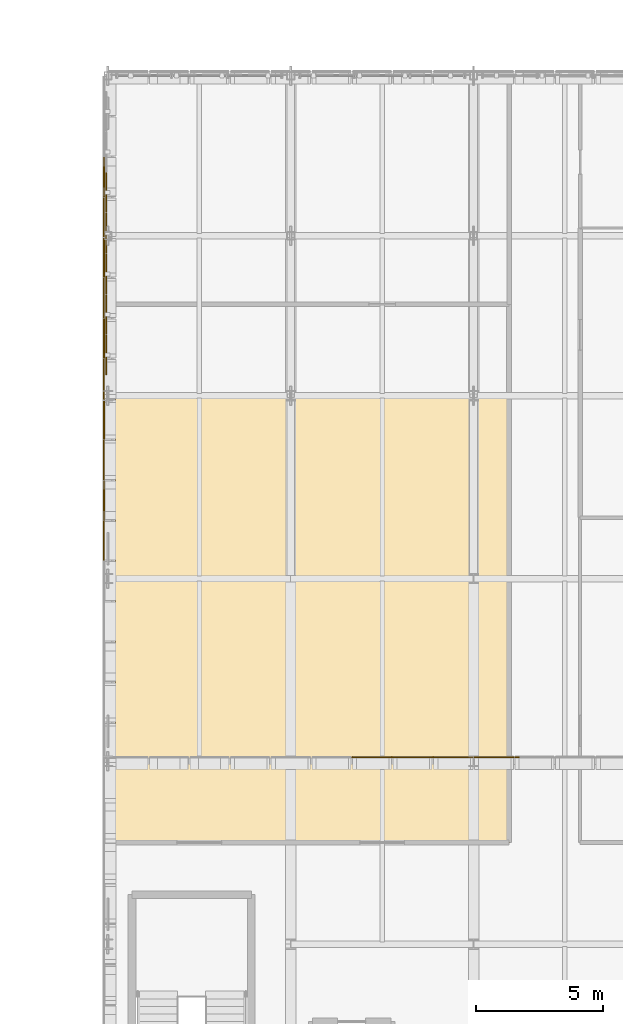
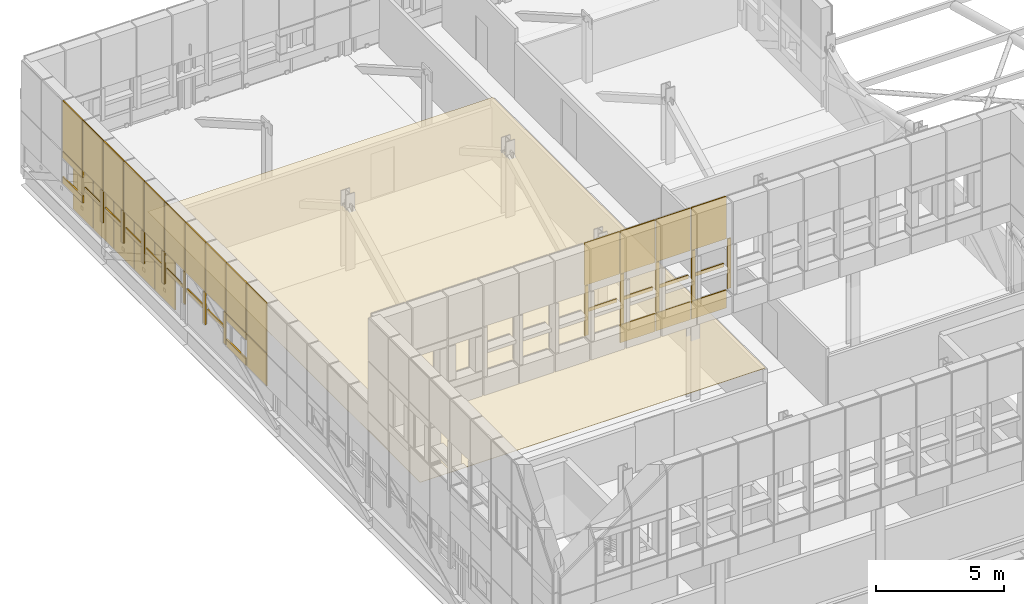
# One storey, part 84 of 96: 46 coverings, 5 shading devices.
"""IFC4 building model written with IfcOpenShell, lengths in metres."""

from ifc_helpers import new_model, si_unit, direction, frame, origin, origin_2d, place, context, subcontext, project, spatial, polyline, rectangle, outline, extrude, material, layer, layer_set, type_object, element, save


model = new_model("IFC4")

# Units and contexts
model_context = context("Model", 3, precision=1e-05, world=origin(), true_north=direction((0.0, 1.0)))
body_context = subcontext(model_context, "Body", "Model", "MODEL_VIEW")
ifc_project = project(units=[si_unit("LENGTHUNIT", "METRE"), si_unit("AREAUNIT", "SQUARE_METRE"), si_unit("VOLUMEUNIT", "CUBIC_METRE"), si_unit("PLANEANGLEUNIT", "RADIAN"), si_unit("MASSUNIT", "GRAM", prefix="KILO")], contexts=[model_context])

# Site, building, storey
site_placement = place(None, origin())
site = spatial("IfcSite", under=ifc_project, at=site_placement, CompositionType="ELEMENT")
building_placement = place(site_placement, origin())
building = spatial("IfcBuilding", under=site, at=building_placement, Name="Yarey Park Central Fire Station", CompositionType="ELEMENT")
storey_placement = place(building_placement, frame((0.0, 0.0, 14.39990234375)))
storey = spatial("IfcBuildingStorey", under=building, at=storey_placement, Name="L04", CompositionType="ELEMENT", Elevation=14.39990234375)

# Coverings
ifc_material_1 = material(Name="Perforated Powder-Coated Aluminium Cladding", Category="aluminium")
ifc_layer_1 = layer(ifc_material_1, 0.0419921875)
ifc_layer_set_1 = layer_set([ifc_layer_1], Name="Perforated Powder-Coated Aluminium Cladding")
covering_type_1 = type_object("IfcCoveringType", Name="ENV_COV_PERF_1", PredefinedType="CLADDING", material=ifc_layer_set_1)
covering_1_placement = place(storey_placement, frame((28.639892578125, 80.6884765625, 0.864990234375), z_axis=(0.0, 0.0, 1.0), x_axis=(0.0, 1.0, 0.0)))
element("IfcCovering", 1, at=covering_1_placement, inside=storey, type_object=covering_type_1, Name="PERF_L04_0700", PredefinedType="CLADDING", context=body_context, shape_type="SweptSolid", body=[
    extrude(rectangle(XDim=1.55224609375, YDim=0.0419921875, at=origin_2d()), origin(), (0.0, 0.0, 1.0), 1.5400390625),
])
covering_2_placement = place(storey_placement, frame((28.639892578125, 80.6884765625, 2.43505859375), z_axis=(0.0, 0.0, 1.0), x_axis=(0.0, 1.0, 0.0)))
element("IfcCovering", 2, at=covering_2_placement, inside=storey, type_object=covering_type_1, Name="PERF_L04_0701", PredefinedType="CLADDING", context=body_context, shape_type="SweptSolid", body=[
    extrude(rectangle(XDim=1.55224609375, YDim=0.0419921875, at=origin_2d()), origin(), (0.0, 0.0, 1.0), 2.3701171875),
])
covering_3_placement = place(storey_placement, frame((28.639892578125, 83.18701171875, 0.864990234375), z_axis=(0.0, 0.0, 1.0), x_axis=(0.0, 1.0, 0.0)))
element("IfcCovering", 3, at=covering_3_placement, inside=storey, type_object=covering_type_1, Name="PERF_L04_0717", PredefinedType="CLADDING", context=body_context, shape_type="SweptSolid", body=[
    extrude(rectangle(XDim=0.159912109375, YDim=0.0419921875, at=origin_2d()), origin(), (0.0, 0.0, 1.0), 1.5400390625),
])
covering_4_placement = place(storey_placement, frame((28.639892578125, 83.873046875, 1.55517578125), z_axis=(0.0, 0.0, 1.0), x_axis=(0.0, 1.0, 0.0)))
element("IfcCovering", 4, at=covering_4_placement, inside=storey, type_object=covering_type_1, Name="PERF_L04_0718", PredefinedType="CLADDING", context=body_context, shape_type="SweptSolid", body=[
    extrude(rectangle(XDim=1.352294921875, YDim=0.0419921875, at=origin_2d()), origin(), (0.0, 0.0, 1.0), 0.159912109375),
])
covering_5_placement = place(storey_placement, frame((28.639892578125, 83.873046875, 2.43505859375), z_axis=(0.0, 0.0, 1.0), x_axis=(0.0, 1.0, 0.0)))
element("IfcCovering", 5, at=covering_5_placement, inside=storey, type_object=covering_type_1, Name="PERF_L04_0719", PredefinedType="CLADDING", context=body_context, shape_type="SweptSolid", body=[
    extrude(rectangle(XDim=1.55224609375, YDim=0.0419921875, at=origin_2d()), origin(), (0.0, 0.0, 1.0), 2.3701171875),
])
covering_6_placement = place(storey_placement, frame((28.639892578125, 86.37158203125, 0.864990234375), z_axis=(0.0, 0.0, 1.0), x_axis=(0.0, 1.0, 0.0)))
element("IfcCovering", 6, at=covering_6_placement, inside=storey, type_object=covering_type_1, Name="PERF_L04_0731", PredefinedType="CLADDING", context=body_context, shape_type="SweptSolid", body=[
    extrude(rectangle(XDim=0.159912109375, YDim=0.0419921875, at=origin_2d()), origin(), (0.0, 0.0, 1.0), 1.5400390625),
])
covering_7_placement = place(storey_placement, frame((28.639892578125, 87.0576171875, 1.55517578125), z_axis=(0.0, 0.0, 1.0), x_axis=(0.0, 1.0, 0.0)))
element("IfcCovering", 7, at=covering_7_placement, inside=storey, type_object=covering_type_1, Name="PERF_L04_0732", PredefinedType="CLADDING", context=body_context, shape_type="SweptSolid", body=[
    extrude(rectangle(XDim=1.352294921875, YDim=0.0419921875, at=origin_2d()), origin(), (0.0, 0.0, 1.0), 0.159912109375),
])
covering_8_placement = place(storey_placement, frame((28.639892578125, 87.0576171875, 2.43505859375), z_axis=(0.0, 0.0, 1.0), x_axis=(0.0, 1.0, 0.0)))
element("IfcCovering", 8, at=covering_8_placement, inside=storey, type_object=covering_type_1, Name="PERF_L04_0733", PredefinedType="CLADDING", context=body_context, shape_type="SweptSolid", body=[
    extrude(rectangle(XDim=1.55224609375, YDim=0.0419921875, at=origin_2d()), origin(), (0.0, 0.0, 1.0), 2.3701171875),
])
covering_9_placement = place(storey_placement, frame((28.639892578125, 89.55615234375, 0.864990234375), z_axis=(0.0, 0.0, 1.0), x_axis=(0.0, 1.0, 0.0)))
element("IfcCovering", 9, at=covering_9_placement, inside=storey, type_object=covering_type_1, Name="PERF_L04_0745", PredefinedType="CLADDING", context=body_context, shape_type="SweptSolid", body=[
    extrude(rectangle(XDim=0.159912109375, YDim=0.0419921875, at=origin_2d()), origin(), (0.0, 0.0, 1.0), 1.5400390625),
])
covering_10_placement = place(storey_placement, frame((28.639892578125, 90.2421875, 1.55517578125), z_axis=(0.0, 0.0, 1.0), x_axis=(0.0, 1.0, 0.0)))
element("IfcCovering", 10, at=covering_10_placement, inside=storey, type_object=covering_type_1, Name="PERF_L04_0746", PredefinedType="CLADDING", context=body_context, shape_type="SweptSolid", body=[
    extrude(rectangle(XDim=1.352294921875, YDim=0.0419921875, at=origin_2d()), origin(), (0.0, 0.0, 1.0), 0.159912109375),
])
covering_11_placement = place(storey_placement, frame((28.639892578125, 90.2421875, 2.43505859375), z_axis=(0.0, 0.0, 1.0), x_axis=(0.0, 1.0, 0.0)))
element("IfcCovering", 11, at=covering_11_placement, inside=storey, type_object=covering_type_1, Name="PERF_L04_0747", PredefinedType="CLADDING", context=body_context, shape_type="SweptSolid", body=[
    extrude(rectangle(XDim=1.55224609375, YDim=0.0419921875, at=origin_2d()), origin(), (0.0, 0.0, 1.0), 2.3701171875),
])
covering_12_placement = place(storey_placement, frame((28.639892578125, 92.74072265625, 0.864990234375), z_axis=(0.0, 0.0, 1.0), x_axis=(0.0, 1.0, 0.0)))
element("IfcCovering", 12, at=covering_12_placement, inside=storey, type_object=covering_type_1, Name="PERF_L04_0759", PredefinedType="CLADDING", context=body_context, shape_type="SweptSolid", body=[
    extrude(rectangle(XDim=0.159912109375, YDim=0.0419921875, at=origin_2d()), origin(), (0.0, 0.0, 1.0), 1.5400390625),
])
covering_13_placement = place(storey_placement, frame((28.639892578125, 93.427001953125, 1.55517578125), z_axis=(0.0, 0.0, 1.0), x_axis=(0.0, 1.0, 0.0)))
element("IfcCovering", 13, at=covering_13_placement, inside=storey, type_object=covering_type_1, Name="PERF_L04_0760", PredefinedType="CLADDING", context=body_context, shape_type="SweptSolid", body=[
    extrude(rectangle(XDim=1.352294921875, YDim=0.0419921875, at=origin_2d()), origin(), (0.0, 0.0, 1.0), 0.159912109375),
])
covering_14_placement = place(storey_placement, frame((28.639892578125, 93.427001953125, 2.43505859375), z_axis=(0.0, 0.0, 1.0), x_axis=(0.0, 1.0, 0.0)))
element("IfcCovering", 14, at=covering_14_placement, inside=storey, type_object=covering_type_1, Name="PERF_L04_0761", PredefinedType="CLADDING", context=body_context, shape_type="SweptSolid", body=[
    extrude(rectangle(XDim=1.55224609375, YDim=0.0419921875, at=origin_2d()), origin(), (0.0, 0.0, 1.0), 2.3701171875),
])
covering_15_placement = place(storey_placement, frame((38.510009765625, 72.159912109375, 4.51513671875), z_axis=(0.0, 0.0, 1.0), x_axis=(1.0, 0.0, 0.0)))
element("IfcCovering", 15, at=covering_15_placement, inside=storey, type_object=covering_type_1, Name="PERF_L04_1228", PredefinedType="CLADDING", context=body_context, shape_type="SweptSolid", body=[
    extrude(rectangle(XDim=0.159912109375, YDim=0.0419921875, at=origin_2d()), origin(), (0.0, 0.0, 1.0), 2.3701171875),
])
covering_16_placement = place(storey_placement, frame((39.199951171875, 72.159912109375, 5.6201171875), z_axis=(0.0, 0.0, 1.0), x_axis=(1.0, 0.0, 0.0)))
element("IfcCovering", 16, at=covering_16_placement, inside=storey, type_object=covering_type_1, Name="PERF_L04_1229", PredefinedType="CLADDING", context=body_context, shape_type="SweptSolid", body=[
    extrude(rectangle(XDim=1.360107421875, YDim=0.0419921875, at=origin_2d()), origin(), (0.0, 0.0, 1.0), 0.159912109375),
])
covering_17_placement = place(storey_placement, frame((39.199951171875, 72.159912109375, 6.9150390625), z_axis=(0.0, 0.0, 1.0), x_axis=(1.0, 0.0, 0.0)))
element("IfcCovering", 17, at=covering_17_placement, inside=storey, type_object=covering_type_1, Name="PERF_L04_1230", PredefinedType="CLADDING", context=body_context, shape_type="SweptSolid", body=[
    extrude(rectangle(XDim=1.56005859375, YDim=0.0419921875, at=origin_2d()), origin(), (0.0, 0.0, 1.0), 2.02001953125),
])
covering_18_placement = place(storey_placement, frame((42.39990234375, 72.159912109375, 3.635009765625), z_axis=(0.0, 0.0, 1.0), x_axis=(1.0, 0.0, 0.0)))
element("IfcCovering", 18, at=covering_18_placement, inside=storey, type_object=covering_type_1, Name="PERF_L04_1235", PredefinedType="CLADDING", context=body_context, shape_type="SweptSolid", body=[
    extrude(rectangle(XDim=1.56005859375, YDim=0.0419921875, at=origin_2d()), origin(), (0.0, 0.0, 1.0), 0.85009765625),
])
covering_19_placement = place(storey_placement, frame((41.7099609375, 72.159912109375, 4.51513671875), z_axis=(0.0, 0.0, 1.0), x_axis=(1.0, 0.0, 0.0)))
element("IfcCovering", 19, at=covering_19_placement, inside=storey, type_object=covering_type_1, Name="PERF_L04_1236", PredefinedType="CLADDING", context=body_context, shape_type="SweptSolid", body=[
    extrude(rectangle(XDim=0.159912109375, YDim=0.0419921875, at=origin_2d()), origin(), (0.0, 0.0, 1.0), 2.3701171875),
])
covering_20_placement = place(storey_placement, frame((42.39990234375, 72.159912109375, 5.6201171875), z_axis=(0.0, 0.0, 1.0), x_axis=(1.0, 0.0, 0.0)))
element("IfcCovering", 20, at=covering_20_placement, inside=storey, type_object=covering_type_1, Name="PERF_L04_1237", PredefinedType="CLADDING", context=body_context, shape_type="SweptSolid", body=[
    extrude(rectangle(XDim=1.360107421875, YDim=0.0419921875, at=origin_2d()), origin(), (0.0, 0.0, 1.0), 0.159912109375),
])
covering_21_placement = place(storey_placement, frame((42.39990234375, 72.159912109375, 6.9150390625), z_axis=(0.0, 0.0, 1.0), x_axis=(1.0, 0.0, 0.0)))
element("IfcCovering", 21, at=covering_21_placement, inside=storey, type_object=covering_type_1, Name="PERF_L04_1238", PredefinedType="CLADDING", context=body_context, shape_type="SweptSolid", body=[
    extrude(rectangle(XDim=1.56005859375, YDim=0.0419921875, at=origin_2d()), origin(), (0.0, 0.0, 1.0), 2.02001953125),
])
covering_22_placement = place(storey_placement, frame((44.909912109375, 72.159912109375, 4.51513671875), z_axis=(0.0, 0.0, 1.0), x_axis=(1.0, 0.0, 0.0)))
element("IfcCovering", 22, at=covering_22_placement, inside=storey, type_object=covering_type_1, Name="PERF_L04_1244", PredefinedType="CLADDING", context=body_context, shape_type="SweptSolid", body=[
    extrude(rectangle(XDim=0.159912109375, YDim=0.0419921875, at=origin_2d()), origin(), (0.0, 0.0, 1.0), 2.3701171875),
])
ifc_layer_2 = layer(ifc_material_1, 0.053955078125)
ifc_layer_set_2 = layer_set([ifc_layer_2], Name="Perforated Powder-Coated Aluminium Cladding")
covering_type_2 = type_object("IfcCoveringType", Name="ENV_COV_PERF_2", PredefinedType="CLADDING", material=ifc_layer_set_2)
for number, where, z_axis, x_axis, name in (
    (23, (28.639892578125, 82.28076171875, 0.85986328125), (0.0, 0.0, 1.0), (0.0, 1.0, 0.0), "PERF_L04_0708"),
    (24, (28.639892578125, 82.28076171875, 2.06982421875), (0.0, 0.0, 1.0), (0.0, 1.0, 0.0), "PERF_L04_0709"),
):
    element("IfcCovering", number, at=place(storey_placement, frame(where, z_axis=z_axis, x_axis=x_axis)), inside=storey, type_object=covering_type_2, Name=name, PredefinedType="CLADDING", context=body_context, shape_type="SweptSolid", body=[
        extrude(rectangle(XDim=1.55224609375, YDim=0.053955078125, at=origin_2d()), origin(), (0.0, 0.0, 1.0), 0.340087890625),
    ])
covering_23_placement = place(storey_placement, frame((28.639892578125, 82.28076171875, 2.43505859375), z_axis=(0.0, 0.0, 1.0), x_axis=(0.0, 1.0, 0.0)))
element("IfcCovering", 25, at=covering_23_placement, inside=storey, type_object=covering_type_2, Name="PERF_L04_0712", PredefinedType="CLADDING", context=body_context, shape_type="SweptSolid", body=[
    extrude(rectangle(XDim=1.55224609375, YDim=0.053955078125, at=origin_2d()), origin(), (0.0, 0.0, 1.0), 2.3701171875),
])
covering_24_placement = place(storey_placement, frame((28.639892578125, 84.779296875, 0.864990234375), z_axis=(0.0, 0.0, 1.0), x_axis=(0.0, 1.0, 0.0)))
element("IfcCovering", 26, at=covering_24_placement, inside=storey, type_object=covering_type_2, Name="PERF_L04_0724", PredefinedType="CLADDING", context=body_context, shape_type="SweptSolid", body=[
    extrude(rectangle(XDim=0.159912109375, YDim=0.053955078125, at=origin_2d()), origin(), (0.0, 0.0, 1.0), 1.5400390625),
])
covering_25_placement = place(storey_placement, frame((28.639892578125, 85.46533203125, 1.55517578125), z_axis=(0.0, 0.0, 1.0), x_axis=(0.0, 1.0, 0.0)))
element("IfcCovering", 27, at=covering_25_placement, inside=storey, type_object=covering_type_2, Name="PERF_L04_0725", PredefinedType="CLADDING", context=body_context, shape_type="SweptSolid", body=[
    extrude(rectangle(XDim=1.352294921875, YDim=0.053955078125, at=origin_2d()), origin(), (0.0, 0.0, 1.0), 0.159912109375),
])
covering_26_placement = place(storey_placement, frame((28.639892578125, 85.46533203125, 2.43505859375), z_axis=(0.0, 0.0, 1.0), x_axis=(0.0, 1.0, 0.0)))
element("IfcCovering", 28, at=covering_26_placement, inside=storey, type_object=covering_type_2, Name="PERF_L04_0726", PredefinedType="CLADDING", context=body_context, shape_type="SweptSolid", body=[
    extrude(rectangle(XDim=1.55224609375, YDim=0.053955078125, at=origin_2d()), origin(), (0.0, 0.0, 1.0), 2.3701171875),
])
covering_27_placement = place(storey_placement, frame((28.639892578125, 87.9638671875, 0.864990234375), z_axis=(0.0, 0.0, 1.0), x_axis=(0.0, 1.0, 0.0)))
element("IfcCovering", 29, at=covering_27_placement, inside=storey, type_object=covering_type_2, Name="PERF_L04_0738", PredefinedType="CLADDING", context=body_context, shape_type="SweptSolid", body=[
    extrude(rectangle(XDim=0.159912109375, YDim=0.053955078125, at=origin_2d()), origin(), (0.0, 0.0, 1.0), 1.5400390625),
])
covering_28_placement = place(storey_placement, frame((28.639892578125, 88.64990234375, 1.55517578125), z_axis=(0.0, 0.0, 1.0), x_axis=(0.0, 1.0, 0.0)))
element("IfcCovering", 30, at=covering_28_placement, inside=storey, type_object=covering_type_2, Name="PERF_L04_0739", PredefinedType="CLADDING", context=body_context, shape_type="SweptSolid", body=[
    extrude(rectangle(XDim=1.352294921875, YDim=0.053955078125, at=origin_2d()), origin(), (0.0, 0.0, 1.0), 0.159912109375),
])
covering_29_placement = place(storey_placement, frame((28.639892578125, 88.64990234375, 2.43505859375), z_axis=(0.0, 0.0, 1.0), x_axis=(0.0, 1.0, 0.0)))
element("IfcCovering", 31, at=covering_29_placement, inside=storey, type_object=covering_type_2, Name="PERF_L04_0740", PredefinedType="CLADDING", context=body_context, shape_type="SweptSolid", body=[
    extrude(rectangle(XDim=1.55224609375, YDim=0.053955078125, at=origin_2d()), origin(), (0.0, 0.0, 1.0), 2.3701171875),
])
covering_30_placement = place(storey_placement, frame((28.639892578125, 91.1484375, 0.864990234375), z_axis=(0.0, 0.0, 1.0), x_axis=(0.0, 1.0, 0.0)))
element("IfcCovering", 32, at=covering_30_placement, inside=storey, type_object=covering_type_2, Name="PERF_L04_0752", PredefinedType="CLADDING", context=body_context, shape_type="SweptSolid", body=[
    extrude(rectangle(XDim=0.159912109375, YDim=0.053955078125, at=origin_2d()), origin(), (0.0, 0.0, 1.0), 1.5400390625),
])
covering_31_placement = place(storey_placement, frame((28.639892578125, 91.834716796875, 1.55517578125), z_axis=(0.0, 0.0, 1.0), x_axis=(0.0, 1.0, 0.0)))
element("IfcCovering", 33, at=covering_31_placement, inside=storey, type_object=covering_type_2, Name="PERF_L04_0753", PredefinedType="CLADDING", context=body_context, shape_type="SweptSolid", body=[
    extrude(rectangle(XDim=1.352294921875, YDim=0.053955078125, at=origin_2d()), origin(), (0.0, 0.0, 1.0), 0.159912109375),
])
covering_32_placement = place(storey_placement, frame((28.639892578125, 91.834716796875, 2.43505859375), z_axis=(0.0, 0.0, 1.0), x_axis=(0.0, 1.0, 0.0)))
element("IfcCovering", 34, at=covering_32_placement, inside=storey, type_object=covering_type_2, Name="PERF_L04_0754", PredefinedType="CLADDING", context=body_context, shape_type="SweptSolid", body=[
    extrude(rectangle(XDim=1.55224609375, YDim=0.053955078125, at=origin_2d()), origin(), (0.0, 0.0, 1.0), 2.3701171875),
])
for number, where, z_axis, x_axis, name in (
    (35, (28.639892578125, 95.019287109375, 0.85986328125), (0.0, 0.0, 1.0), (0.0, 1.0, 0.0), "PERF_L04_0768"),
    (36, (28.639892578125, 95.019287109375, 2.06982421875), (0.0, 0.0, 1.0), (0.0, 1.0, 0.0), "PERF_L04_0769"),
):
    element("IfcCovering", number, at=place(storey_placement, frame(where, z_axis=z_axis, x_axis=x_axis)), inside=storey, type_object=covering_type_2, Name=name, PredefinedType="CLADDING", context=body_context, shape_type="SweptSolid", body=[
        extrude(rectangle(XDim=1.55224609375, YDim=0.053955078125, at=origin_2d()), origin(), (0.0, 0.0, 1.0), 0.340087890625),
    ])
covering_33_placement = place(storey_placement, frame((28.639892578125, 95.019287109375, 2.43505859375), z_axis=(0.0, 0.0, 1.0), x_axis=(0.0, 1.0, 0.0)))
element("IfcCovering", 37, at=covering_33_placement, inside=storey, type_object=covering_type_2, Name="PERF_L04_0772", PredefinedType="CLADDING", context=body_context, shape_type="SweptSolid", body=[
    extrude(rectangle(XDim=1.55224609375, YDim=0.053955078125, at=origin_2d()), origin(), (0.0, 0.0, 1.0), 2.3701171875),
])
covering_34_placement = place(storey_placement, frame((40.800048828125, 72.159912109375, 3.635009765625), z_axis=(0.0, 0.0, 1.0), x_axis=(1.0, 0.0, 0.0)))
element("IfcCovering", 38, at=covering_34_placement, inside=storey, type_object=covering_type_2, Name="PERF_L04_1231", PredefinedType="CLADDING", context=body_context, shape_type="SweptSolid", body=[
    extrude(rectangle(XDim=1.56005859375, YDim=0.053955078125, at=origin_2d()), origin(), (0.0, 0.0, 1.0), 0.85009765625),
])
covering_35_placement = place(storey_placement, frame((40.110107421875, 72.159912109375, 4.51513671875), z_axis=(0.0, 0.0, 1.0), x_axis=(1.0, 0.0, 0.0)))
element("IfcCovering", 39, at=covering_35_placement, inside=storey, type_object=covering_type_2, Name="PERF_L04_1232", PredefinedType="CLADDING", context=body_context, shape_type="SweptSolid", body=[
    extrude(rectangle(XDim=0.159912109375, YDim=0.053955078125, at=origin_2d()), origin(), (0.0, 0.0, 1.0), 2.3701171875),
])
covering_36_placement = place(storey_placement, frame((40.800048828125, 72.159912109375, 5.6201171875), z_axis=(0.0, 0.0, 1.0), x_axis=(1.0, 0.0, 0.0)))
element("IfcCovering", 40, at=covering_36_placement, inside=storey, type_object=covering_type_2, Name="PERF_L04_1233", PredefinedType="CLADDING", context=body_context, shape_type="SweptSolid", body=[
    extrude(rectangle(XDim=1.360107421875, YDim=0.053955078125, at=origin_2d()), origin(), (0.0, 0.0, 1.0), 0.159912109375),
])
covering_37_placement = place(storey_placement, frame((40.800048828125, 72.159912109375, 6.9150390625), z_axis=(0.0, 0.0, 1.0), x_axis=(1.0, 0.0, 0.0)))
element("IfcCovering", 41, at=covering_37_placement, inside=storey, type_object=covering_type_2, Name="PERF_L04_1234", PredefinedType="CLADDING", context=body_context, shape_type="SweptSolid", body=[
    extrude(rectangle(XDim=1.56005859375, YDim=0.053955078125, at=origin_2d()), origin(), (0.0, 0.0, 1.0), 2.02001953125),
])
covering_38_placement = place(storey_placement, frame((44.0, 72.159912109375, 3.635009765625), z_axis=(0.0, 0.0, 1.0), x_axis=(1.0, 0.0, 0.0)))
element("IfcCovering", 42, at=covering_38_placement, inside=storey, type_object=covering_type_2, Name="PERF_L04_1239", PredefinedType="CLADDING", context=body_context, shape_type="SweptSolid", body=[
    extrude(rectangle(XDim=1.56005859375, YDim=0.053955078125, at=origin_2d()), origin(), (0.0, 0.0, 1.0), 0.85009765625),
])
covering_39_placement = place(storey_placement, frame((43.31005859375, 72.159912109375, 4.51513671875), z_axis=(0.0, 0.0, 1.0), x_axis=(1.0, 0.0, 0.0)))
element("IfcCovering", 43, at=covering_39_placement, inside=storey, type_object=covering_type_2, Name="PERF_L04_1240", PredefinedType="CLADDING", context=body_context, shape_type="SweptSolid", body=[
    extrude(rectangle(XDim=0.159912109375, YDim=0.053955078125, at=origin_2d()), origin(), (0.0, 0.0, 1.0), 2.3701171875),
])
covering_40_placement = place(storey_placement, frame((44.0, 72.159912109375, 5.6201171875), z_axis=(0.0, 0.0, 1.0), x_axis=(1.0, 0.0, 0.0)))
element("IfcCovering", 44, at=covering_40_placement, inside=storey, type_object=covering_type_2, Name="PERF_L04_1241", PredefinedType="CLADDING", context=body_context, shape_type="SweptSolid", body=[
    extrude(rectangle(XDim=1.360107421875, YDim=0.053955078125, at=origin_2d()), origin(), (0.0, 0.0, 1.0), 0.159912109375),
])
covering_41_placement = place(storey_placement, frame((44.0, 72.159912109375, 6.9150390625), z_axis=(0.0, 0.0, 1.0), x_axis=(1.0, 0.0, 0.0)))
element("IfcCovering", 45, at=covering_41_placement, inside=storey, type_object=covering_type_2, Name="PERF_L04_1242", PredefinedType="CLADDING", context=body_context, shape_type="SweptSolid", body=[
    extrude(rectangle(XDim=1.56005859375, YDim=0.053955078125, at=origin_2d()), origin(), (0.0, 0.0, 1.0), 2.02001953125),
])

# Shading devices
ifc_material_2 = material(Name="Perforated Powder-Coated Aluminium Screen", Category="aluminium")
ifc_layer_3 = layer(ifc_material_2, 0.0400390625)
ifc_layer_set_3 = layer_set([ifc_layer_3], Name="Perforated Powder-Coated Aluminium Screen")
shading_device_type = type_object("IfcShadingDeviceType", Name="ENV_SHD_SCR_2", PredefinedType="USERDEFINED", material=ifc_layer_set_3)
for number, where, z_axis, x_axis, name in (
    (46, (28.739990234375, 88.0, 0.0), (0.0, 0.0, 1.0), (0.0, 1.0, 0.0), "SCR_L04_SIDE_047"),
    (47, (28.739990234375, 89.60009765625, 0.0), (0.0, 0.0, 1.0), (0.0, 1.0, 0.0), "SCR_L04_SIDE_049"),
    (48, (28.739990234375, 91.199951171875, 0.0), (0.0, 0.0, 1.0), (0.0, 1.0, 0.0), "SCR_L04_SIDE_051"),
    (49, (28.739990234375, 92.800048828125, 0.0), (0.0, 0.0, 1.0), (0.0, 1.0, 0.0), "SCR_L04_SIDE_053"),
    (50, (28.739990234375, 94.39990234375, 0.0), (0.0, 0.0, 1.0), (0.0, 1.0, 0.0), "SCR_L04_SIDE_055"),
):
    element("IfcShadingDevice", number, at=place(storey_placement, frame(where, z_axis=z_axis, x_axis=x_axis)), inside=storey, type_object=shading_device_type, Name=name, ObjectType="SCREEN", PredefinedType="USERDEFINED", context=body_context, shape_type="SweptSolid", body=[
        extrude(rectangle(XDim=1.56005859375, YDim=0.0400390625, at=origin_2d()), origin(), (0.0, 0.0, 1.0), 3.0),
    ])

# Covering
ifc_material_3 = material(Name="Acoustic Mineral Fibre Tile", Category="finish")
ifc_layer_4 = layer(ifc_material_3, 0.02001953125)
ifc_layer_set_4 = layer_set([ifc_layer_4], Name="Acoustic Mineral Fibre Tile")
covering_type_3 = type_object("IfcCoveringType", Name="INT_CEIL_ACT_1", PredefinedType="CEILING", material=ifc_layer_set_4)
covering_42_placement = place(storey_placement, frame((0.0, 0.0, 2.85009765625)))
element("IfcCovering", 51, at=covering_42_placement, inside=storey, type_object=covering_type_3, Name="CEIL_SPC_L04_LECTURE", PredefinedType="CEILING", context=body_context, shape_type="SweptSolid", body=[
    extrude(outline(polyline([(29.090087890625, 68.7900390625), (44.610107421875, 68.7900390625), (44.610107421875, 90.010009765625), (29.090087890625, 90.010009765625), (29.090087890625, 68.7900390625)])), origin(), (0.0, 0.0, 1.0), 0.02001953125),
])

save(model, "model.ifc")
